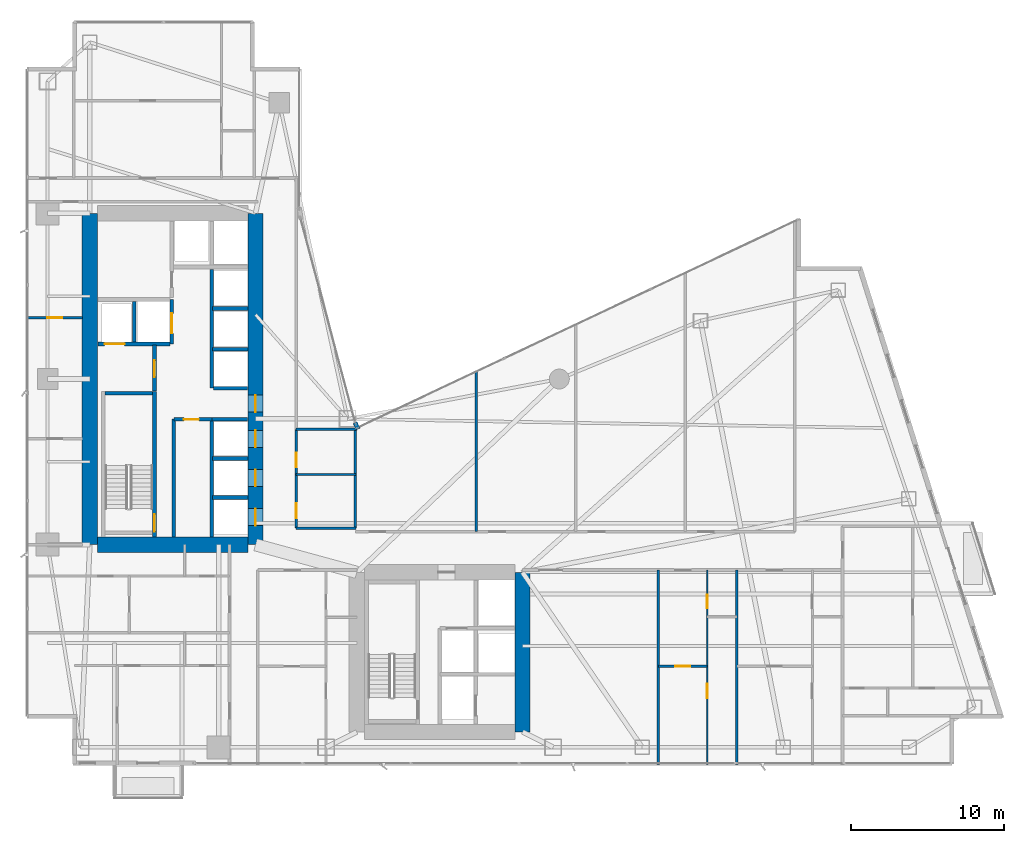
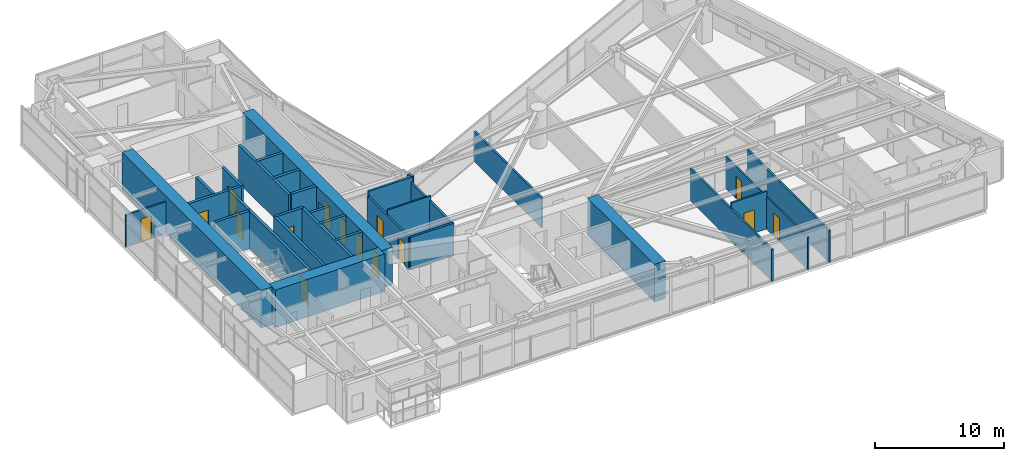
# One storey, part 23 of 29: 32 walls, 15 doors, 15 openings.
"""IFC4 building model written with IfcOpenShell, lengths in metres."""

from ifc_helpers import new_model, si_unit, direction, frame, frame_2d, origin, place, context, subcontext, project, spatial, rectangle, extrude, material, layer, layer_set, type_object, element, fill, save


model = new_model("IFC4")

# Units and contexts
model_context = context("Model", 3, precision=1e-05, world=origin(), true_north=direction((0.0, 1.0)))
body_context = subcontext(model_context, "Body", "Model", "MODEL_VIEW")
ifc_project = project(units=[si_unit("LENGTHUNIT", "METRE"), si_unit("AREAUNIT", "SQUARE_METRE"), si_unit("VOLUMEUNIT", "CUBIC_METRE"), si_unit("PLANEANGLEUNIT", "RADIAN"), si_unit("MASSUNIT", "GRAM", prefix="KILO")], contexts=[model_context])

# Site, building, storey
site_placement = place(None, origin())
site = spatial("IfcSite", under=ifc_project, at=site_placement, CompositionType="ELEMENT")
building_placement = place(site_placement, origin())
building = spatial("IfcBuilding", under=site, at=building_placement, Name="Calvorn Quay Hotel", CompositionType="ELEMENT")
storey_placement = place(building_placement, frame((0.0, 0.0, 81.199951171875)))
storey = spatial("IfcBuildingStorey", under=building, at=storey_placement, Name="L19", CompositionType="ELEMENT", Elevation=81.199951171875)

# Wall
ifc_material_1 = material(Name="Concrete C60", Category="concrete")
ifc_layer_1 = layer(ifc_material_1, 1.0)
ifc_layer_set_1 = layer_set([ifc_layer_1], Name="WL-CORE-1000")
wall_type_1 = type_object("IfcWallType", Name="WL-CORE-1000", PredefinedType="SHEAR", material=ifc_layer_set_1)
wall_1_placement = place(storey_placement, frame((4.199951171875, 16.800048828125, 0.0), z_axis=(0.0, 0.0, 1.0), x_axis=(0.0, 1.0, 0.0)))
element("IfcWall", 1, at=wall_1_placement, inside=storey, type_object=wall_type_1, Name="West Core Shear Wall W (L19)", PredefinedType="SHEAR", context=body_context, shape_type="SweptSolid", body=[
    extrude(rectangle(XDim=21.599853515625, YDim=1.0, at=frame_2d((10.7998046875, 0.0))), origin(), (0.0, 0.0, 1.0), 3.56005859375),
])

# Wall, openings, doors
wall_2_placement = place(storey_placement, frame((15.0, 16.800048828125, 0.0), z_axis=(0.0, 0.0, 1.0), x_axis=(0.0, 1.0, 0.0)))
wall_2 = element("IfcWall", 2, at=wall_2_placement, inside=storey, type_object=wall_type_1, Name="West Core Shear Wall E (L19)", PredefinedType="SHEAR", context=body_context, shape_type="SweptSolid", body=[
    extrude(rectangle(XDim=21.599853515625, YDim=1.0, at=frame_2d((10.7998046875, 0.0))), origin(), (0.0, 0.0, 1.0), 3.56005859375),
])
opening_1_placement = place(wall_2_placement, frame((8.64990234375, 0.0, 0.0)))
opening_1 = element("IfcOpeningElement", 3, at=opening_1_placement, cuts=wall_2, Name="Opening D-L19-CW1", PredefinedType="OPENING", context=body_context, shape_type="SweptSolid", body=[
    extrude(rectangle(XDim=1.10009765625, YDim=2.199951171875, at=frame_2d((0.550048828125, 1.10009765625))), frame((0.0, 0.510009765625, 0.0), z_axis=(0.0, -1.0, 0.0), x_axis=(1.0, 0.0, 0.0)), (0.0, 0.0, 1.0), 1.02001953125),
])
opening_2_placement = place(wall_2_placement, frame((1.25, 0.0, 0.0)))
opening_2 = element("IfcOpeningElement", 4, at=opening_2_placement, cuts=wall_2, Name="Opening LD-L19-L1", PredefinedType="OPENING", context=body_context, shape_type="SweptSolid", body=[
    extrude(rectangle(XDim=1.10009765625, YDim=2.199951171875, at=frame_2d((0.550048828125, 1.10009765625))), frame((0.0, 0.510009765625, 0.0), z_axis=(0.0, -1.0, 0.0), x_axis=(1.0, 0.0, 0.0)), (0.0, 0.0, 1.0), 1.02001953125),
])
opening_3_placement = place(wall_2_placement, frame((3.800048828125, 0.0, 0.0)))
opening_3 = element("IfcOpeningElement", 5, at=opening_3_placement, cuts=wall_2, Name="Opening LD-L19-L2", PredefinedType="OPENING", context=body_context, shape_type="SweptSolid", body=[
    extrude(rectangle(XDim=1.10009765625, YDim=2.199951171875, at=frame_2d((0.550048828125, 1.10009765625))), frame((0.0, 0.510009765625, 0.0), z_axis=(0.0, -1.0, 0.0), x_axis=(1.0, 0.0, 0.0)), (0.0, 0.0, 1.0), 1.02001953125),
])
opening_4_placement = place(wall_2_placement, frame((6.35009765625, 0.0, 0.0)))
opening_4 = element("IfcOpeningElement", 6, at=opening_4_placement, cuts=wall_2, Name="Opening LD-L19-L3", PredefinedType="OPENING", context=body_context, shape_type="SweptSolid", body=[
    extrude(rectangle(XDim=1.10009765625, YDim=2.199951171875, at=frame_2d((0.550048828125, 1.10009765625))), frame((0.0, 0.510009765625, 0.0), z_axis=(0.0, -1.0, 0.0), x_axis=(1.0, 0.0, 0.0)), (0.0, 0.0, 1.0), 1.02001953125),
])
ifc_material_2 = material(Name="Smoke-Sealed Steel Class A Fire Door", Category="steel")
door_type_1 = type_object("IfcDoorType", Name="DR-FFLOBBY-1100", OperationType="NOTDEFINED", PredefinedType="DOOR", material=ifc_material_2)
door_1_placement = place(opening_1_placement, origin())
door_1 = element("IfcDoor", 7, at=door_1_placement, inside=storey, type_object=door_type_1, Name="West Core Vestibule Fire Door (L19)", OperationType="SINGLE_SWING_RIGHT", OverallHeight=2.199951171875, OverallWidth=1.10009765625, PredefinedType="DOOR", context=body_context, shape_type="SweptSolid", body=[
    extrude(rectangle(XDim=1.10009765625, YDim=2.199951171875, at=frame_2d((0.550048828125, 1.10009765625))), frame((0.0, 0.02490234375, 0.0), z_axis=(0.0, -1.0, 0.0), x_axis=(1.0, 0.0, 0.0)), (0.0, 0.0, 1.0), 0.050048828125),
])
fill(opening_1, door_1)
ifc_material_3 = material(Name="Brushed Stainless Steel Sliding Lift Landing Door", Category="steel")
door_type_2 = type_object("IfcDoorType", Name="DR-LIFT-PASS-1100", OperationType="NOTDEFINED", PredefinedType="DOOR", material=ifc_material_3)
door_2_placement = place(opening_2_placement, origin())
door_2 = element("IfcDoor", 8, at=door_2_placement, inside=storey, type_object=door_type_2, Name="Low-Rise Lift PL-L1 Landing Door (L19)", OperationType="DOUBLE_DOOR_SLIDING", OverallHeight=2.199951171875, OverallWidth=1.10009765625, PredefinedType="DOOR", context=body_context, shape_type="SweptSolid", body=[
    extrude(rectangle(XDim=1.10009765625, YDim=2.199951171875, at=frame_2d((0.550048828125, 1.10009765625))), frame((0.0, 0.02490234375, 0.0), z_axis=(0.0, -1.0, 0.0), x_axis=(1.0, 0.0, 0.0)), (0.0, 0.0, 1.0), 0.050048828125),
])
fill(opening_2, door_2)
door_3_placement = place(opening_3_placement, origin())
door_3 = element("IfcDoor", 9, at=door_3_placement, inside=storey, type_object=door_type_2, Name="Low-Rise Lift PL-L2 Landing Door (L19)", OperationType="DOUBLE_DOOR_SLIDING", OverallHeight=2.199951171875, OverallWidth=1.10009765625, PredefinedType="DOOR", context=body_context, shape_type="SweptSolid", body=[
    extrude(rectangle(XDim=1.10009765625, YDim=2.199951171875, at=frame_2d((0.550048828125, 1.10009765625))), frame((0.0, 0.02490234375, 0.0), z_axis=(0.0, -1.0, 0.0), x_axis=(1.0, 0.0, 0.0)), (0.0, 0.0, 1.0), 0.050048828125),
])
fill(opening_3, door_3)
door_4_placement = place(opening_4_placement, origin())
door_4 = element("IfcDoor", 10, at=door_4_placement, inside=storey, type_object=door_type_2, Name="Low-Rise Lift PL-L3 Landing Door (L19)", OperationType="DOUBLE_DOOR_SLIDING", OverallHeight=2.199951171875, OverallWidth=1.10009765625, PredefinedType="DOOR", context=body_context, shape_type="SweptSolid", body=[
    extrude(rectangle(XDim=1.10009765625, YDim=2.199951171875, at=frame_2d((0.550048828125, 1.10009765625))), frame((0.0, 0.02490234375, 0.0), z_axis=(0.0, -1.0, 0.0), x_axis=(1.0, 0.0, 0.0)), (0.0, 0.0, 1.0), 0.050048828125),
])
fill(opening_4, door_4)

# Walls
wall_3_placement = place(storey_placement, frame((4.699951171875, 16.800048828125, 0.0), z_axis=(0.0, 0.0, 1.0), x_axis=(1.0, 0.0, 0.0)))
element("IfcWall", 11, at=wall_3_placement, inside=storey, type_object=wall_type_1, Name="West Core Shear Wall S (L19)", PredefinedType="SHEAR", context=body_context, shape_type="SweptSolid", body=[
    extrude(rectangle(XDim=9.800048828125, YDim=1.0, at=frame_2d((4.89990234375, 0.0))), origin(), (0.0, 0.0, 1.0), 3.56005859375),
])
wall_4_placement = place(storey_placement, frame((32.39990234375, 4.60009765625, 0.0), z_axis=(0.0, 0.0, 1.0), x_axis=(0.0, 1.0, 0.0)))
element("IfcWall", 12, at=wall_4_placement, inside=storey, type_object=wall_type_1, Name="East Core Shear Wall E (L19)", PredefinedType="SHEAR", context=body_context, shape_type="SweptSolid", body=[
    extrude(rectangle(XDim=10.39990234375, YDim=1.0, at=frame_2d((5.199951171875, 0.0))), origin(), (0.0, 0.0, 1.0), 3.56005859375),
])
ifc_material_4 = material(Name="Acoustic Fireboard Steel-Stud Partition", Category="steel")
ifc_layer_2 = layer(ifc_material_4, 0.179931640625)
ifc_layer_set_2 = layer_set([ifc_layer_2], Name="WL-CORR-FIRE-180")
wall_type_2 = type_object("IfcWallType", Name="WL-CORR-FIRE-180", PredefinedType="PARTITIONING", material=ifc_layer_set_2)
wall_5_placement = place(storey_placement, frame((17.64990234375, 17.8798828125, 0.0), z_axis=(0.0, 0.0, 1.0), x_axis=(1.0, 0.0, 0.0)))
element("IfcWall", 13, at=wall_5_placement, inside=storey, type_object=wall_type_2, Name="Partition Wall L19-WL-HK-S", PredefinedType="PARTITIONING", context=body_context, shape_type="SweptSolid", body=[
    extrude(rectangle(XDim=3.900146484375, YDim=0.179931640625, at=frame_2d((1.9501953125, 0.0))), origin(), (0.0, 0.0, 1.0), 3.090087890625),
])
wall_6_placement = place(storey_placement, frame((17.64990234375, 24.320068359375, 0.0), z_axis=(0.0, 0.0, 1.0), x_axis=(1.0, 0.0, 0.0)))
element("IfcWall", 14, at=wall_6_placement, inside=storey, type_object=wall_type_2, Name="Partition Wall L19-WL-HK-N", PredefinedType="PARTITIONING", context=body_context, shape_type="SweptSolid", body=[
    extrude(rectangle(XDim=3.9501953125, YDim=0.179931640625, at=frame_2d((1.97509765625, 0.0))), origin(), (0.0, 0.0, 1.0), 3.56005859375),
])
wall_7_placement = place(storey_placement, frame((21.5, 17.8798828125, 0.0), z_axis=(0.0, 0.0, 1.0), x_axis=(0.0, 1.0, 0.0)))
element("IfcWall", 15, at=wall_7_placement, inside=storey, type_object=wall_type_2, Name="Partition Wall L19-WL-HK-E", PredefinedType="PARTITIONING", context=body_context, shape_type="SweptSolid", body=[
    extrude(rectangle(XDim=6.440185546875, YDim=0.179931640625, at=frame_2d((3.22021484375, 0.0))), origin(), (0.0, 0.0, 1.0), 3.090087890625),
])

# Wall, openings, doors
wall_8_placement = place(storey_placement, frame((17.64990234375, 17.8798828125, 0.0), z_axis=(0.0, 0.0, 1.0), x_axis=(0.0, 1.0, 0.0)))
wall_8 = element("IfcWall", 16, at=wall_8_placement, inside=storey, type_object=wall_type_2, Name="Partition Wall L19-WL-HK-W", PredefinedType="PARTITIONING", context=body_context, shape_type="SweptSolid", body=[
    extrude(rectangle(XDim=6.440185546875, YDim=0.179931640625, at=frame_2d((3.22021484375, 0.0))), origin(), (0.0, 0.0, 1.0), 3.090087890625),
])
opening_5_placement = place(wall_8_placement, frame((0.64990234375, 0.0, 0.0)))
opening_5 = element("IfcOpeningElement", 17, at=opening_5_placement, cuts=wall_8, Name="Opening D-L19-HK", PredefinedType="OPENING", context=body_context, shape_type="SweptSolid", body=[
    extrude(rectangle(XDim=0.97998046875, YDim=2.14990234375, at=frame_2d((0.489990234375, 1.074951171875))), frame((0.0, 0.099853515625, 0.0), z_axis=(0.0, -1.0, 0.0), x_axis=(1.0, 0.0, 0.0)), (0.0, 0.0, 1.0), 0.199951171875),
])
opening_6_placement = place(wall_8_placement, frame((3.969970703125, 0.0, 0.0)))
opening_6 = element("IfcOpeningElement", 18, at=opening_6_placement, cuts=wall_8, Name="Opening D-L19-NCP", PredefinedType="OPENING", context=body_context, shape_type="SweptSolid", body=[
    extrude(rectangle(XDim=0.9599609375, YDim=2.199951171875, at=frame_2d((0.47998046875, 1.10009765625))), frame((0.0, 0.099853515625, 0.0), z_axis=(0.0, -1.0, 0.0), x_axis=(1.0, 0.0, 0.0)), (0.0, 0.0, 1.0), 0.199951171875),
])
ifc_material_5 = material(Name="Painted Steel Housekeeping/Riser Fire Door", Category="steel")
door_type_3 = type_object("IfcDoorType", Name="DR-SERVICE-980", OperationType="NOTDEFINED", PredefinedType="DOOR", material=ifc_material_5)
door_5_placement = place(opening_5_placement, origin())
door_5 = element("IfcDoor", 19, at=door_5_placement, inside=storey, type_object=door_type_3, Name="Floor Housekeeping Door (L19)", OperationType="SINGLE_SWING_LEFT", OverallHeight=2.14990234375, OverallWidth=0.97998046875, PredefinedType="DOOR", context=body_context, shape_type="SweptSolid", body=[
    extrude(rectangle(XDim=0.97998046875, YDim=2.14990234375, at=frame_2d((0.489990234375, 1.074951171875))), frame((0.0, 0.02490234375, 0.0), z_axis=(0.0, -1.0, 0.0), x_axis=(1.0, 0.0, 0.0)), (0.0, 0.0, 1.0), 0.050048828125),
])
fill(opening_5, door_5)
ifc_material_6 = material(Name="Solid Timber Internal Suite Door", Category="wood")
door_type_4 = type_object("IfcDoorType", Name="DR-SUITE-INT-960", OperationType="NOTDEFINED", PredefinedType="DOOR", material=ifc_material_6)
door_6_placement = place(opening_6_placement, origin())
door_6 = element("IfcDoor", 20, at=door_6_placement, inside=storey, type_object=door_type_4, Name="Reading Alcove Door (L19)", OperationType="SINGLE_SWING_RIGHT", OverallHeight=2.199951171875, OverallWidth=0.9599609375, PredefinedType="DOOR", context=body_context, shape_type="SweptSolid", body=[
    extrude(rectangle(XDim=0.9599609375, YDim=2.199951171875, at=frame_2d((0.47998046875, 1.10009765625))), frame((0.0, 0.02490234375, 0.0), z_axis=(0.0, -1.0, 0.0), x_axis=(1.0, 0.0, 0.0)), (0.0, 0.0, 1.0), 0.050048828125),
])
fill(opening_6, door_6)

# Wall
ifc_material_7 = material(Name="Moisture-Resistant Tile-Backed Partition")
ifc_layer_3 = layer(ifc_material_7, 0.125)
ifc_layer_set_3 = layer_set([ifc_layer_3], Name="WL-ENSUITE-125")
wall_type_3 = type_object("IfcWallType", Name="WL-ENSUITE-125", PredefinedType="PARTITIONING", material=ifc_layer_set_3)
wall_9_placement = place(storey_placement, frame((17.64990234375, 21.3798828125, 0.0), z_axis=(0.0, 0.0, 1.0), x_axis=(1.0, 0.0, 0.0)))
element("IfcWall", 21, at=wall_9_placement, inside=storey, type_object=wall_type_3, Name="Partition Wall L19-WL-HK-M", PredefinedType="PARTITIONING", context=body_context, shape_type="SweptSolid", body=[
    extrude(rectangle(XDim=3.900146484375, YDim=0.125, at=frame_2d((1.9501953125, 0.0))), origin(), (0.0, 0.0, 1.0), 3.56005859375),
])

# Wall, openings, doors
wall_10_placement = place(storey_placement, frame((44.43994140625, 2.43994140625, 0.0), z_axis=(0.0, 0.0, 1.0), x_axis=(0.0, 1.0, 0.0)))
wall_10 = element("IfcWall", 22, at=wall_10_placement, inside=storey, type_object=wall_type_3, Name="Partition Wall L19-WL-U05-BV", PredefinedType="PARTITIONING", context=body_context, shape_type="SweptSolid", body=[
    extrude(rectangle(XDim=12.7099609375, YDim=0.125, at=frame_2d((6.35498046875, 0.0))), origin(), (0.0, 0.0, 1.0), 3.0400390625),
])
opening_7_placement = place(wall_10_placement, frame((4.35009765625, 0.0, 0.0)))
opening_7 = element("IfcOpeningElement", 23, at=opening_7_placement, cuts=wall_10, Name="Opening D-L19-S05", PredefinedType="OPENING", context=body_context, shape_type="SweptSolid", body=[
    extrude(rectangle(XDim=0.9599609375, YDim=2.199951171875, at=frame_2d((0.47998046875, 1.10009765625))), frame((0.0, 0.072509765625, 0.0), z_axis=(0.0, -1.0, 0.0), x_axis=(1.0, 0.0, 0.0)), (0.0, 0.0, 1.0), 0.14501953125),
])
opening_8_placement = place(wall_10_placement, frame((10.2099609375, 0.0, 0.0)))
opening_8 = element("IfcOpeningElement", 24, at=opening_8_placement, cuts=wall_10, Name="Opening D-L19-E05", PredefinedType="OPENING", context=body_context, shape_type="SweptSolid", body=[
    extrude(rectangle(XDim=0.89990234375, YDim=2.14990234375, at=frame_2d((0.449951171875, 1.074951171875))), frame((0.0, 0.072509765625, 0.0), z_axis=(0.0, -1.0, 0.0), x_axis=(1.0, 0.0, 0.0)), (0.0, 0.0, 1.0), 0.14501953125),
])
ifc_material_8 = material(Name="Moisture-Sealed Timber En-Suite Door", Category="wood")
door_type_5 = type_object("IfcDoorType", Name="DR-ENSUITE-900", OperationType="NOTDEFINED", PredefinedType="DOOR", material=ifc_material_8)
door_7_placement = place(opening_8_placement, origin())
door_7 = element("IfcDoor", 25, at=door_7_placement, inside=storey, type_object=door_type_5, Name="En-Suite Door 05", OperationType="SINGLE_SWING_RIGHT", OverallHeight=2.14990234375, OverallWidth=0.89990234375, PredefinedType="DOOR", context=body_context, shape_type="SweptSolid", body=[
    extrude(rectangle(XDim=0.89990234375, YDim=2.14990234375, at=frame_2d((0.449951171875, 1.074951171875))), frame((0.0, 0.02490234375, 0.0), z_axis=(0.0, -1.0, 0.0), x_axis=(1.0, 0.0, 0.0)), (0.0, 0.0, 1.0), 0.050048828125),
])
fill(opening_8, door_7)
door_8_placement = place(opening_7_placement, origin())
door_8 = element("IfcDoor", 26, at=door_8_placement, inside=storey, type_object=door_type_4, Name="Private Media Cinema Door 05", OperationType="SINGLE_SWING_LEFT", OverallHeight=2.199951171875, OverallWidth=0.9599609375, PredefinedType="DOOR", context=body_context, shape_type="SweptSolid", body=[
    extrude(rectangle(XDim=0.9599609375, YDim=2.199951171875, at=frame_2d((0.47998046875, 1.10009765625))), frame((0.0, 0.02490234375, 0.0), z_axis=(0.0, -1.0, 0.0), x_axis=(1.0, 0.0, 0.0)), (0.0, 0.0, 1.0), 0.050048828125),
])
fill(opening_7, door_8)

# Wall
ifc_material_9 = material(Name="Concrete C40", Category="concrete")
ifc_layer_4 = layer(ifc_material_9, 0.320068359375)
ifc_layer_set_4 = layer_set([ifc_layer_4], Name="WL-EXT-SPANDREL-320")
wall_type_4 = type_object("IfcWallType", Name="WL-EXT-SPANDREL-320", PredefinedType="SOLIDWALL", material=ifc_layer_set_4)
wall_11_placement = place(storey_placement, frame((21.679931640625, 24.340087890625, 0.0), z_axis=(0.0, 0.0, 1.0), x_axis=(-0.40758134973, 0.913168901875, 0.0)))
element("IfcWall", 27, at=wall_11_placement, inside=storey, type_object=wall_type_4, Name="Inner Court Corner Pier L19-ICJ1", PredefinedType="SOLIDWALL", context=body_context, shape_type="SweptSolid", body=[
    extrude(rectangle(XDim=0.470703125, YDim=0.280029296875, at=frame_2d((0.2353515625, 0.0))), origin(), (0.0, 0.0, 1.0), 3.56005859375),
])

# Wall, opening, door
ifc_material_10 = material(Name="Double-Stud Acoustic Gypsum Partition")
ifc_layer_5 = layer(ifc_material_10, 0.159912109375)
ifc_layer_set_5 = layer_set([ifc_layer_5], Name="WL-INTERSUITE-160")
wall_type_5 = type_object("IfcWallType", Name="WL-INTERSUITE-160", PredefinedType="PARTITIONING", material=ifc_layer_set_5)
wall_12_placement = place(storey_placement, frame((0.080078125, 31.60009765625, 0.0), z_axis=(0.0, 0.0, 1.0), x_axis=(1.0, 0.0, 0.0)))
wall_12 = element("IfcWall", 28, at=wall_12_placement, inside=storey, type_object=wall_type_5, Name="Partition Wall L19-WL-WBAY-DIVB", PredefinedType="PARTITIONING", context=body_context, shape_type="SweptSolid", body=[
    extrude(rectangle(XDim=3.64990234375, YDim=0.159912109375, at=frame_2d((1.824951171875, 0.0))), origin(), (0.0, 0.0, 1.0), 3.0400390625),
])
opening_9_placement = place(wall_12_placement, frame((1.35009765625, 0.0, 0.0)))
opening_9 = element("IfcOpeningElement", 29, at=opening_9_placement, cuts=wall_12, Name="Opening D-L19-WBB", PredefinedType="OPENING", context=body_context, shape_type="SweptSolid", body=[
    extrude(rectangle(XDim=0.9599609375, YDim=2.199951171875, at=frame_2d((0.47998046875, 1.10009765625))), frame((0.0, 0.08984375, 0.0), z_axis=(0.0, -1.0, 0.0), x_axis=(1.0, 0.0, 0.0)), (0.0, 0.0, 1.0), 0.179931640625),
])
door_9_placement = place(opening_9_placement, origin())
door_9 = element("IfcDoor", 30, at=door_9_placement, inside=storey, type_object=door_type_4, Name="West North Connecting Door (L19)", OperationType="SINGLE_SWING_RIGHT", OverallHeight=2.199951171875, OverallWidth=0.9599609375, PredefinedType="DOOR", context=body_context, shape_type="SweptSolid", body=[
    extrude(rectangle(XDim=0.9599609375, YDim=2.199951171875, at=frame_2d((0.47998046875, 1.10009765625))), frame((0.0, 0.02490234375, 0.0), z_axis=(0.0, -1.0, 0.0), x_axis=(1.0, 0.0, 0.0)), (0.0, 0.0, 1.0), 0.050048828125),
])
fill(opening_9, door_9)

wall_13_placement = place(storey_placement, frame((41.25, 8.8798828125, 0.0), z_axis=(0.0, 0.0, 1.0), x_axis=(1.0, 0.0, 0.0)))
wall_13 = element("IfcWall", 31, at=wall_13_placement, inside=storey, type_object=wall_type_5, Name="Partition Wall L19-WL-U05-MSP", PredefinedType="PARTITIONING", context=body_context, shape_type="SweptSolid", body=[
    extrude(rectangle(XDim=3.18994140625, YDim=0.159912109375, at=frame_2d((1.594970703125, 0.0))), origin(), (0.0, 0.0, 1.0), 3.56005859375),
])
opening_10_placement = place(wall_13_placement, frame((1.110107421875, 0.0, 0.0)))
opening_10 = element("IfcOpeningElement", 32, at=opening_10_placement, cuts=wall_13, Name="Opening D-L19-M05", PredefinedType="OPENING", context=body_context, shape_type="SweptSolid", body=[
    extrude(rectangle(XDim=0.9599609375, YDim=2.199951171875, at=frame_2d((0.47998046875, 1.10009765625))), frame((0.0, 0.08984375, 0.0), z_axis=(0.0, -1.0, 0.0), x_axis=(1.0, 0.0, 0.0)), (0.0, 0.0, 1.0), 0.179931640625),
])
door_10_placement = place(opening_10_placement, origin())
door_10 = element("IfcDoor", 33, at=door_10_placement, inside=storey, type_object=door_type_4, Name="Suite Bedroom Door 05", OperationType="SINGLE_SWING_LEFT", OverallHeight=2.199951171875, OverallWidth=0.9599609375, PredefinedType="DOOR", context=body_context, shape_type="SweptSolid", body=[
    extrude(rectangle(XDim=0.9599609375, YDim=2.199951171875, at=frame_2d((0.47998046875, 1.10009765625))), frame((0.0, 0.02490234375, 0.0), z_axis=(0.0, -1.0, 0.0), x_axis=(1.0, 0.0, 0.0)), (0.0, 0.0, 1.0), 0.050048828125),
])
fill(opening_10, door_10)

# Walls
for number, where, z_axis, x_axis, name in (
    (34, (41.25, 2.43994140625, 0.0), (0.0, 0.0, 1.0), (0.0, 1.0, 0.0), "Partition Wall L19-WL-SE-DIV-1"),
    (35, (46.3701171875, 2.43994140625, 0.0), (0.0, 0.0, 1.0), (0.0, 1.0, 0.0), "Partition Wall L19-WL-SE-DIV-2"),
):
    element("IfcWall", number, at=place(storey_placement, frame(where, z_axis=z_axis, x_axis=x_axis)), inside=storey, type_object=wall_type_5, Name=name, PredefinedType="PARTITIONING", context=body_context, shape_type="SweptSolid", body=[
        extrude(rectangle(XDim=12.7099609375, YDim=0.159912109375, at=frame_2d((6.35498046875, 0.0))), origin(), (0.0, 0.0, 1.0), 3.0400390625),
    ])
wall_14_placement = place(storey_placement, frame((29.389892578125, 17.64990234375, 0.0), z_axis=(0.0, 0.0, 1.0), x_axis=(0.0, 1.0, 0.0)))
element("IfcWall", 36, at=wall_14_placement, inside=storey, type_object=wall_type_5, Name="Partition Wall L19-WL-NE-DIV-1", PredefinedType="PARTITIONING", context=body_context, shape_type="SweptSolid", body=[
    extrude(rectangle(XDim=10.510009765625, YDim=0.159912109375, at=frame_2d((5.2548828125, 0.0))), origin(), (0.0, 0.0, 1.0), 2.840087890625),
])
ifc_material_11 = material(Name="Autoclaved Aerated Masonry Block", Category="masonry")
ifc_layer_6 = layer(ifc_material_11, 0.219970703125)
ifc_layer_set_6 = layer_set([ifc_layer_6], Name="WL-LOBBY-FIRE-220")
wall_type_6 = type_object("IfcWallType", Name="WL-LOBBY-FIRE-220", PredefinedType="SOLIDWALL", material=ifc_layer_set_6)
wall_15_placement = place(storey_placement, frame((9.679931640625, 17.320068359375, 0.0), z_axis=(0.0, 0.0, 1.0), x_axis=(0.0, 1.0, 0.0)))
element("IfcWall", 37, at=wall_15_placement, inside=storey, type_object=wall_type_6, Name="Partition Wall L19-WL-CWW-STW-HALL-E", PredefinedType="SOLIDWALL", context=body_context, shape_type="SweptSolid", body=[
    extrude(rectangle(XDim=7.679931640625, YDim=0.219970703125, at=frame_2d((3.83984375, 0.0))), origin(), (0.0, 0.0, 1.0), 3.56005859375),
])

# Wall, opening, door
ifc_material_12 = material(Name="Concrete C40", Category="concrete")
ifc_layer_7 = layer(ifc_material_12, 0.239990234375)
ifc_layer_set_7 = layer_set([ifc_layer_7], Name="WL-SHAFT-240")
wall_type_7 = type_object("IfcWallType", Name="WL-SHAFT-240", PredefinedType="SOLIDWALL", material=ifc_layer_set_7)
wall_16_placement = place(storey_placement, frame((8.419921875, 17.300048828125, 0.0), z_axis=(0.0, 0.0, 1.0), x_axis=(0.0, 1.0, 0.0)))
wall_16 = element("IfcWall", 38, at=wall_16_placement, inside=storey, type_object=wall_type_7, Name="Stair STW Shaft Wall E (L19)", PredefinedType="SOLIDWALL", context=body_context, shape_type="SweptSolid", body=[
    extrude(rectangle(XDim=9.489990234375, YDim=0.239990234375, at=frame_2d((4.7451171875, 0.0))), origin(), (0.0, 0.0, 1.0), 3.56005859375),
])
opening_11_placement = place(wall_16_placement, frame((0.35009765625, 0.0, 0.0)))
opening_11 = element("IfcOpeningElement", 39, at=opening_11_placement, cuts=wall_16, Name="Opening D-L19-STW", PredefinedType="OPENING", context=body_context, shape_type="SweptSolid", body=[
    extrude(rectangle(XDim=1.14990234375, YDim=2.199951171875, at=frame_2d((0.574951171875, 1.10009765625))), frame((0.0, 0.1298828125, 0.0), z_axis=(0.0, -1.0, 0.0), x_axis=(1.0, 0.0, 0.0)), (0.0, 0.0, 1.0), 0.260009765625),
])
ifc_material_13 = material(Name="Galvanised Steel Class A Fire Door", Category="steel")
door_type_6 = type_object("IfcDoorType", Name="DR-STAIR-SMOKE-1150", OperationType="NOTDEFINED", PredefinedType="DOOR", material=ifc_material_13)
door_11_placement = place(opening_11_placement, origin())
door_11 = element("IfcDoor", 40, at=door_11_placement, inside=storey, type_object=door_type_6, Name="Stair ST-W Fire Door (L19)", OperationType="SINGLE_SWING_LEFT", OverallHeight=2.199951171875, OverallWidth=1.14990234375, PredefinedType="DOOR", context=body_context, shape_type="SweptSolid", body=[
    extrude(rectangle(XDim=1.14990234375, YDim=2.199951171875, at=frame_2d((0.574951171875, 1.10009765625))), frame((0.0, 0.02490234375, 0.0), z_axis=(0.0, -1.0, 0.0), x_axis=(1.0, 0.0, 0.0)), (0.0, 0.0, 1.0), 0.050048828125),
])
fill(opening_11, door_11)

# Walls
wall_17_placement = place(storey_placement, frame((5.199951171875, 26.669921875, 0.0), z_axis=(0.0, 0.0, 1.0), x_axis=(1.0, 0.0, 0.0)))
element("IfcWall", 41, at=wall_17_placement, inside=storey, type_object=wall_type_7, Name="Stair STW Shaft Wall N (L19)", PredefinedType="SOLIDWALL", context=body_context, shape_type="SweptSolid", body=[
    extrude(rectangle(XDim=3.10009765625, YDim=0.239990234375, at=frame_2d((1.550048828125, 0.0))), origin(), (0.0, 0.0, 1.0), 3.56005859375),
])
for number, where, z_axis, x_axis, name in (
    (42, (12.179931640625, 19.875, 0.0), (0.0, 0.0, 1.0), (1.0, 0.0, 0.0), "Lift Hoistway Divider Wall PLL12 (L19)"),
    (43, (12.179931640625, 22.425048828125, 0.0), (0.0, 0.0, 1.0), (1.0, 0.0, 0.0), "Lift Hoistway Divider Wall PLL23 (L19)"),
    (44, (12.179931640625, 29.550048828125, 0.0), (0.0, 0.0, 1.0), (1.0, 0.0, 0.0), "Lift Hoistway Divider Wall PLM12 (L19)"),
    (45, (12.179931640625, 32.199951171875, 0.0), (0.0, 0.0, 1.0), (1.0, 0.0, 0.0), "Lift Hoistway Divider Wall PLM23 (L19)"),
):
    element("IfcWall", number, at=place(storey_placement, frame(where, z_axis=z_axis, x_axis=x_axis)), inside=storey, type_object=wall_type_7, Name=name, PredefinedType="SOLIDWALL", context=body_context, shape_type="SweptSolid", body=[
        extrude(rectangle(XDim=2.320068359375, YDim=0.239990234375, at=frame_2d((1.16015625, 0.0))), origin(), (0.0, 0.0, 1.0), 3.56005859375),
    ])

# Wall, opening, door
wall_18_placement = place(storey_placement, frame((8.419921875, 26.820068359375, 0.0), z_axis=(0.0, 0.0, 1.0), x_axis=(0.0, 1.0, 0.0)))
wall_18 = element("IfcWall", 46, at=wall_18_placement, inside=storey, type_object=wall_type_7, Name="Partition Wall L19-WL-CWW-FFL-E", PredefinedType="SOLIDWALL", context=body_context, shape_type="SweptSolid", body=[
    extrude(rectangle(XDim=3.0, YDim=0.239990234375, at=frame_2d((1.5, 0.0))), origin(), (0.0, 0.0, 1.0), 3.56005859375),
])
opening_12_placement = place(wall_18_placement, frame((0.89990234375, 0.0, 0.0)))
opening_12 = element("IfcOpeningElement", 47, at=opening_12_placement, cuts=wall_18, Name="Opening D-L19-FLW", PredefinedType="OPENING", context=body_context, shape_type="SweptSolid", body=[
    extrude(rectangle(XDim=1.10009765625, YDim=2.199951171875, at=frame_2d((0.550048828125, 1.10009765625))), frame((0.0, 0.1298828125, 0.0), z_axis=(0.0, -1.0, 0.0), x_axis=(1.0, 0.0, 0.0)), (0.0, 0.0, 1.0), 0.260009765625),
])
door_12_placement = place(opening_12_placement, origin())
door_12 = element("IfcDoor", 48, at=door_12_placement, inside=storey, type_object=door_type_1, Name="West Firefighting Lobby Fire Door (L19)", OperationType="SINGLE_SWING_RIGHT", OverallHeight=2.199951171875, OverallWidth=1.10009765625, PredefinedType="DOOR", context=body_context, shape_type="SweptSolid", body=[
    extrude(rectangle(XDim=1.10009765625, YDim=2.199951171875, at=frame_2d((0.550048828125, 1.10009765625))), frame((0.0, 0.02490234375, 0.0), z_axis=(0.0, -1.0, 0.0), x_axis=(1.0, 0.0, 0.0)), (0.0, 0.0, 1.0), 0.050048828125),
])
fill(opening_12, door_12)

wall_19_placement = place(storey_placement, frame((4.719970703125, 29.8798828125, 0.0), z_axis=(0.0, 0.0, 1.0), x_axis=(1.0, 0.0, 0.0)))
wall_19 = element("IfcWall", 49, at=wall_19_placement, inside=storey, type_object=wall_type_7, Name="Partition Wall L19-WL-CWW-FLW-S", PredefinedType="SOLIDWALL", context=body_context, shape_type="SweptSolid", body=[
    extrude(rectangle(XDim=4.699951171875, YDim=0.239990234375, at=frame_2d((2.35009765625, 0.0))), origin(), (0.0, 0.0, 1.0), 3.56005859375),
])
opening_13_placement = place(wall_19_placement, frame((0.449951171875, 0.0, 0.0)))
opening_13 = element("IfcOpeningElement", 50, at=opening_13_placement, cuts=wall_19, Name="Opening LD-L19-FLW1", PredefinedType="OPENING", context=body_context, shape_type="SweptSolid", body=[
    extrude(rectangle(XDim=1.300048828125, YDim=2.35009765625, at=frame_2d((0.64990234375, 1.175048828125))), frame((0.0, 0.1298828125, 0.0), z_axis=(0.0, -1.0, 0.0), x_axis=(1.0, 0.0, 0.0)), (0.0, 0.0, 1.0), 0.260009765625),
])
ifc_material_14 = material(Name="Champagne-Bronze Sliding Express Lift Landing Door")
door_type_7 = type_object("IfcDoorType", Name="DR-LIFT-SHUTTLE-1300", OperationType="NOTDEFINED", PredefinedType="DOOR", material=ifc_material_14)
door_13_placement = place(opening_13_placement, origin())
door_13 = element("IfcDoor", 51, at=door_13_placement, inside=storey, type_object=door_type_7, Name="Firefighting Lift FL-W1 Landing Door (L19)", OperationType="DOUBLE_DOOR_SLIDING", OverallHeight=2.35009765625, OverallWidth=1.300048828125, PredefinedType="DOOR", context=body_context, shape_type="SweptSolid", body=[
    extrude(rectangle(XDim=1.300048828125, YDim=2.35009765625, at=frame_2d((0.64990234375, 1.175048828125))), frame((0.0, 0.02490234375, 0.0), z_axis=(0.0, -1.0, 0.0), x_axis=(1.0, 0.0, 0.0)), (0.0, 0.0, 1.0), 0.050048828125),
])
fill(opening_13, door_13)

# Wall
wall_20_placement = place(storey_placement, frame((7.10009765625, 30.02001953125, 0.0), z_axis=(0.0, 0.0, 1.0), x_axis=(0.0, 1.0, 0.0)))
element("IfcWall", 52, at=wall_20_placement, inside=storey, type_object=wall_type_7, Name="Partition Wall L19-WL-CWW-FLW-DIV", PredefinedType="SOLIDWALL", context=body_context, shape_type="SweptSolid", body=[
    extrude(rectangle(XDim=2.6298828125, YDim=0.239990234375, at=frame_2d((1.31494140625, 0.0))), origin(), (0.0, 0.0, 1.0), 3.56005859375),
])

# Wall, opening, door
wall_21_placement = place(storey_placement, frame((9.5400390625, 29.8798828125, 0.0), z_axis=(0.0, 0.0, 1.0), x_axis=(0.0, 1.0, 0.0)))
wall_21 = element("IfcWall", 53, at=wall_21_placement, inside=storey, type_object=wall_type_7, Name="Partition Wall L19-WL-CWW-SLW-E", PredefinedType="SOLIDWALL", context=body_context, shape_type="SweptSolid", body=[
    extrude(rectangle(XDim=2.900146484375, YDim=0.239990234375, at=frame_2d((1.4501953125, 0.0))), origin(), (0.0, 0.0, 1.0), 3.56005859375),
])
opening_14_placement = place(wall_21_placement, frame((0.699951171875, 0.0, 0.0)))
opening_14 = element("IfcOpeningElement", 54, at=opening_14_placement, cuts=wall_21, Name="Opening LD-L19-SLW1", PredefinedType="OPENING", context=body_context, shape_type="SweptSolid", body=[
    extrude(rectangle(XDim=1.300048828125, YDim=2.35009765625, at=frame_2d((0.64990234375, 1.175048828125))), frame((0.0, 0.1298828125, 0.0), z_axis=(0.0, -1.0, 0.0), x_axis=(1.0, 0.0, 0.0)), (0.0, 0.0, 1.0), 0.260009765625),
])
door_14_placement = place(opening_14_placement, origin())
door_14 = element("IfcDoor", 55, at=door_14_placement, inside=storey, type_object=door_type_7, Name="Service Lift SL-W1 Landing Door (L19)", OperationType="DOUBLE_DOOR_SLIDING", OverallHeight=2.35009765625, OverallWidth=1.300048828125, PredefinedType="DOOR", context=body_context, shape_type="SweptSolid", body=[
    extrude(rectangle(XDim=1.300048828125, YDim=2.35009765625, at=frame_2d((0.64990234375, 1.175048828125))), frame((0.0, 0.02490234375, 0.0), z_axis=(0.0, -1.0, 0.0), x_axis=(1.0, 0.0, 0.0)), (0.0, 0.0, 1.0), 0.050048828125),
])
fill(opening_14, door_14)

# Wall
wall_22_placement = place(storey_placement, frame((12.14990234375, 17.320068359375, 0.0), z_axis=(0.0, 0.0, 1.0), x_axis=(0.0, 1.0, 0.0)))
element("IfcWall", 56, at=wall_22_placement, inside=storey, type_object=wall_type_7, Name="Partition Wall L19-WL-CWW-PLL-W", PredefinedType="SOLIDWALL", context=body_context, shape_type="SweptSolid", body=[
    extrude(rectangle(XDim=7.64990234375, YDim=0.239990234375, at=frame_2d((3.824951171875, 0.0))), origin(), (0.0, 0.0, 1.0), 3.56005859375),
])

# Wall, opening, door
wall_23_placement = place(storey_placement, frame((9.679931640625, 24.969970703125, 0.0), z_axis=(0.0, 0.0, 1.0), x_axis=(1.0, 0.0, 0.0)))
wall_23 = element("IfcWall", 57, at=wall_23_placement, inside=storey, type_object=wall_type_7, Name="Partition Wall L19-WL-CWW-SER-N", PredefinedType="SOLIDWALL", context=body_context, shape_type="SweptSolid", body=[
    extrude(rectangle(XDim=2.469970703125, YDim=0.239990234375, at=frame_2d((1.23486328125, 0.0))), origin(), (0.0, 0.0, 1.0), 3.56005859375),
])
opening_15_placement = place(wall_23_placement, frame((0.64990234375, 0.0, 0.0)))
opening_15 = element("IfcOpeningElement", 58, at=opening_15_placement, cuts=wall_23, Name="Opening D-L19-CSR", PredefinedType="OPENING", context=body_context, shape_type="SweptSolid", body=[
    extrude(rectangle(XDim=0.97998046875, YDim=2.14990234375, at=frame_2d((0.489990234375, 1.074951171875))), frame((0.0, 0.1298828125, 0.0), z_axis=(0.0, -1.0, 0.0), x_axis=(1.0, 0.0, 0.0)), (0.0, 0.0, 1.0), 0.260009765625),
])
door_15_placement = place(opening_15_placement, origin())
door_15 = element("IfcDoor", 59, at=door_15_placement, inside=storey, type_object=door_type_3, Name="Core Service Closet Door (L19)", OperationType="SINGLE_SWING_LEFT", OverallHeight=2.14990234375, OverallWidth=0.97998046875, PredefinedType="DOOR", context=body_context, shape_type="SweptSolid", body=[
    extrude(rectangle(XDim=0.97998046875, YDim=2.14990234375, at=frame_2d((0.489990234375, 1.074951171875))), frame((0.0, 0.02490234375, 0.0), z_axis=(0.0, -1.0, 0.0), x_axis=(1.0, 0.0, 0.0)), (0.0, 0.0, 1.0), 0.050048828125),
])
fill(opening_15, door_15)

# Walls
wall_24_placement = place(storey_placement, frame((12.14990234375, 24.969970703125, 0.0), z_axis=(0.0, 0.0, 1.0), x_axis=(1.0, 0.0, 0.0)))
element("IfcWall", 60, at=wall_24_placement, inside=storey, type_object=wall_type_7, Name="Partition Wall L19-WL-CWW-PLL-SHN", PredefinedType="SOLIDWALL", context=body_context, shape_type="SweptSolid", body=[
    extrude(rectangle(XDim=2.330078125, YDim=0.239990234375, at=frame_2d((1.1650390625, 0.0))), origin(), (0.0, 0.0, 1.0), 2.840087890625),
])
wall_25_placement = place(storey_placement, frame((12.25, 27.0, 0.0), z_axis=(0.0, 0.0, 1.0), x_axis=(1.0, 0.0, 0.0)))
element("IfcWall", 61, at=wall_25_placement, inside=storey, type_object=wall_type_7, Name="Partition Wall L19-WL-CWW-PLM-S", PredefinedType="SOLIDWALL", context=body_context, shape_type="SweptSolid", body=[
    extrude(rectangle(XDim=2.22998046875, YDim=0.239990234375, at=frame_2d((1.114990234375, 0.0))), origin(), (0.0, 0.0, 1.0), 3.56005859375),
])
wall_26_placement = place(storey_placement, frame((12.14990234375, 27.0, 0.0), z_axis=(0.0, 0.0, 1.0), x_axis=(0.0, 1.0, 0.0)))
element("IfcWall", 62, at=wall_26_placement, inside=storey, type_object=wall_type_7, Name="Partition Wall L19-WL-CWW-PLM-W", PredefinedType="SOLIDWALL", context=body_context, shape_type="SweptSolid", body=[
    extrude(rectangle(XDim=7.75, YDim=0.239990234375, at=frame_2d((3.875, 0.0))), origin(), (0.0, 0.0, 1.0), 3.56005859375),
])

save(model, "model.ifc")
